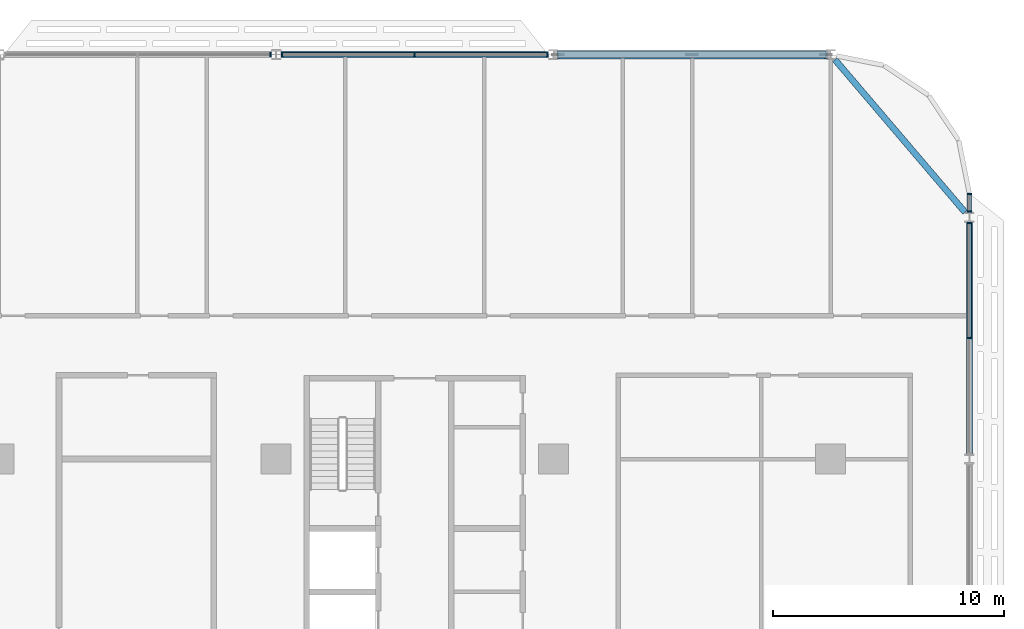
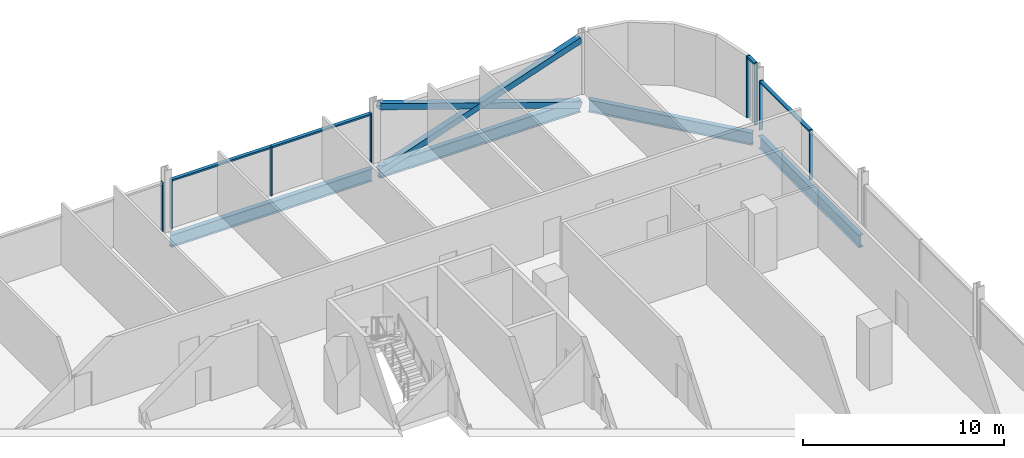
# One storey, part 10 of 29: 15 members, 4 beams, 4 elements without a shape of their own.
"""IFC4 building model written with IfcOpenShell, lengths in metres."""

from ifc_helpers import new_model, si_unit, direction, frame, origin, origin_2d, place, context, subcontext, project, spatial, rectangle, hollow_rectangle, i_section, extrude, material, material_profile, profile_set, type_object, element, aggregate, save


model = new_model("IFC4")

# Units and contexts
model_context = context("Model", 3, precision=1e-05, world=origin(), true_north=direction((0.0, 1.0)))
body_context = subcontext(model_context, "Body", "Model", "MODEL_VIEW")
ifc_project = project(units=[si_unit("LENGTHUNIT", "METRE"), si_unit("AREAUNIT", "SQUARE_METRE"), si_unit("VOLUMEUNIT", "CUBIC_METRE"), si_unit("PLANEANGLEUNIT", "RADIAN"), si_unit("MASSUNIT", "GRAM", prefix="KILO")], contexts=[model_context])

# Site, building, storey
site_placement = place(None, origin())
site = spatial("IfcSite", under=ifc_project, at=site_placement, CompositionType="ELEMENT")
building_placement = place(site_placement, origin())
building = spatial("IfcBuilding", under=site, at=building_placement, Name="Mahtab Terrace Research Tower", CompositionType="ELEMENT")
storey_placement = place(building_placement, frame((0.0, 0.0, 142.5)))
storey = spatial("IfcBuildingStorey", under=building, at=storey_placement, Name="L33", CompositionType="ELEMENT", Elevation=142.5)

# Members
ifc_material_1 = material(Name="Steel ASTM A500 Gr C", Category="steel")
ifc_material_profile_1 = material_profile(ifc_material_1, hollow_rectangle(XDim=0.355712890625, YDim=0.355712890625, WallThickness=0.01904296875, at=origin_2d()), Name="HSS14X14X3/4")
ifc_profile_set_1 = profile_set([ifc_material_profile_1], Name="Steel ASTM A500 Gr C")
member_type_1 = type_object("IfcMemberType", Name="HSS 14x14x3/4 brace XB141434", PredefinedType="BRACE", material=ifc_profile_set_1)
member_1_placement = place(storey_placement, frame((41.794189453125, 29.0, -0.648193359375), z_axis=(-0.946288278, 0.0, 0.323324132908), x_axis=(0.0, -1.0, 0.0)))
element("IfcMember", 1, at=member_1_placement, inside=storey, type_object=member_type_1, Name="Exoskeleton brace L33 01 a", PredefinedType="BRACE", context=body_context, shape_type="SweptSolid", body=[
    extrude(hollow_rectangle(XDim=0.355712890625, YDim=0.355712890625, WallThickness=0.01904296875, at=origin_2d()), origin(), (0.0, 0.0, 1.0), 12.24609375),
])
for number, where, z_axis, x_axis, name in (
    (2, (30.205810546875, 29.0, -0.648193359375), (0.946288278, 0.0, 0.323324132908), (0.0, 1.0, 0.0), "Exoskeleton brace L33 01 b1"),
    (3, (36.0, 29.0, 1.33154296875), (0.946288278, 0.0, 0.323324132908), (0.0, 1.0, 0.0), "Exoskeleton brace L33 01 b2"),
):
    element("IfcMember", number, at=place(storey_placement, frame(where, z_axis=z_axis, x_axis=x_axis)), inside=storey, type_object=member_type_1, Name=name, PredefinedType="BRACE", context=body_context, shape_type="SweptSolid", body=[
        extrude(hollow_rectangle(XDim=0.355712890625, YDim=0.355712890625, WallThickness=0.01904296875, at=origin_2d()), origin(), (0.0, 0.0, 1.0), 6.123046875),
    ])

# Curtain wall, members
ifc_material_2 = material(Name="Laboratory ribbon curtain wall")
curtain_wall_type = type_object("IfcCurtainWallType", Name="Laboratory ribbon curtain wall", PredefinedType="NOTDEFINED", material=ifc_material_2)
curtain_wall_1_placement = place(storey_placement, origin())
curtain_wall_1 = element("IfcCurtainWall", 4, at=curtain_wall_1_placement, inside=storey, type_object=curtain_wall_type, Name="EN.L33.3.4", PredefinedType="NOTDEFINED")
ifc_material_3 = material(Name="Natural anodised aluminium", Category="aluminium")
ifc_material_profile_2 = material_profile(ifc_material_3, rectangle(XDim=0.199951171875, YDim=0.06494140625, at=origin_2d()), Name="MULLION 65x200")
ifc_profile_set_2 = profile_set([ifc_material_profile_2], Name="Natural anodised aluminium")
member_type_2 = type_object("IfcMemberType", Name="Laboratory ribbon curtain wall mullion", PredefinedType="MULLION", material=ifc_profile_set_2)
member_2_placement = place(storey_placement, frame((29.74951171875, 29.0, 0.0), z_axis=(0.0, 0.0, 1.0), x_axis=(0.0, -1.0, 0.0)))
member_2 = element("IfcMember", 5, at=member_2_placement, type_object=member_type_2, Name="CWL-4 mullion 1", PredefinedType="MULLION", context=body_context, shape_type="SweptSolid", body=[
    extrude(rectangle(XDim=0.199951171875, YDim=0.06494140625, at=origin_2d()), origin(), (0.0, 0.0, 1.0), 3.003173828125),
])
member_3_placement = place(storey_placement, frame((24.0, 29.0, 0.0), z_axis=(0.0, 0.0, 1.0), x_axis=(0.0, -1.0, 0.0)))
member_3 = element("IfcMember", 6, at=member_3_placement, type_object=member_type_2, Name="CWL-4 mullion 2", PredefinedType="MULLION", context=body_context, shape_type="SweptSolid", body=[
    extrude(rectangle(XDim=0.199951171875, YDim=0.06494140625, at=origin_2d()), origin(), (0.0, 0.0, 1.0), 3.003173828125),
])
member_4_placement = place(storey_placement, frame((18.25048828125, 29.0, 0.0), z_axis=(0.0, 0.0, 1.0), x_axis=(0.0, -1.0, 0.0)))
member_4 = element("IfcMember", 7, at=member_4_placement, type_object=member_type_2, Name="CWL-4 mullion 3", PredefinedType="MULLION", context=body_context, shape_type="SweptSolid", body=[
    extrude(rectangle(XDim=0.199951171875, YDim=0.06494140625, at=origin_2d()), origin(), (0.0, 0.0, 1.0), 3.003173828125),
])

# Curtain wall, member
curtain_wall_2_placement = place(storey_placement, origin())
curtain_wall_2 = element("IfcCurtainWall", 8, at=curtain_wall_2_placement, inside=storey, type_object=curtain_wall_type, Name="EN.L33.3.5", PredefinedType="NOTDEFINED")
member_5_placement = place(storey_placement, frame((17.74951171875, 29.0, 0.0), z_axis=(0.0, 0.0, 1.0), x_axis=(0.0, -1.0, 0.0)))
member_5 = element("IfcMember", 9, at=member_5_placement, type_object=member_type_2, Name="CWL-4 mullion 1", PredefinedType="MULLION", context=body_context, shape_type="SweptSolid", body=[
    extrude(rectangle(XDim=0.199951171875, YDim=0.06494140625, at=origin_2d()), origin(), (0.0, 0.0, 1.0), 3.003173828125),
])
aggregate(curtain_wall_2, [member_5])

# Curtain wall, members
curtain_wall_3_placement = place(storey_placement, origin())
curtain_wall_3 = element("IfcCurtainWall", 10, at=curtain_wall_3_placement, inside=storey, type_object=curtain_wall_type, Name="EN.L33.18.38", PredefinedType="NOTDEFINED")
member_6_placement = place(storey_placement, frame((48.0, 16.73095703125, 0.0), z_axis=(0.0, 0.0, 1.0), x_axis=(-1.0, 0.0, 0.0)))
member_6 = element("IfcMember", 11, at=member_6_placement, type_object=member_type_2, Name="CWL-4 mullion 2", PredefinedType="MULLION", context=body_context, shape_type="SweptSolid", body=[
    extrude(rectangle(XDim=0.199951171875, YDim=0.06494140625, at=origin_2d()), origin(), (0.0, 0.0, 1.0), 3.003173828125),
])
member_7_placement = place(storey_placement, frame((48.0, 21.71142578125, 0.0), z_axis=(0.0, 0.0, 1.0), x_axis=(-1.0, 0.0, 0.0)))
member_7 = element("IfcMember", 12, at=member_7_placement, type_object=member_type_2, Name="CWL-4 mullion 3", PredefinedType="MULLION", context=body_context, shape_type="SweptSolid", body=[
    extrude(rectangle(XDim=0.199951171875, YDim=0.06494140625, at=origin_2d()), origin(), (0.0, 0.0, 1.0), 3.003173828125),
])

curtain_wall_4_placement = place(storey_placement, origin())
curtain_wall_4 = element("IfcCurtainWall", 13, at=curtain_wall_4_placement, inside=storey, type_object=curtain_wall_type, Name="EN.L33.18.39", PredefinedType="NOTDEFINED")
member_8_placement = place(storey_placement, frame((48.0, 22.21240234375, 0.0), z_axis=(0.0, 0.0, 1.0), x_axis=(-1.0, 0.0, 0.0)))
member_8 = element("IfcMember", 14, at=member_8_placement, type_object=member_type_2, Name="CWL-4 mullion 1", PredefinedType="MULLION", context=body_context, shape_type="SweptSolid", body=[
    extrude(rectangle(XDim=0.199951171875, YDim=0.06494140625, at=origin_2d()), origin(), (0.0, 0.0, 1.0), 3.760009765625),
])
member_9_placement = place(storey_placement, frame((48.0, 22.967529296875, 0.0), z_axis=(0.0, 0.0, 1.0), x_axis=(-1.0, 0.0, 0.0)))
member_9 = element("IfcMember", 15, at=member_9_placement, type_object=member_type_2, Name="CWL-4 mullion 2", PredefinedType="MULLION", context=body_context, shape_type="SweptSolid", body=[
    extrude(rectangle(XDim=0.199951171875, YDim=0.06494140625, at=origin_2d()), origin(), (0.0, 0.0, 1.0), 3.760009765625),
])

# Member
ifc_material_profile_3 = material_profile(ifc_material_3, rectangle(XDim=0.199951171875, YDim=0.10009765625, at=origin_2d()), Name="TRANSOM 100x200")
ifc_profile_set_3 = profile_set([ifc_material_profile_3], Name="Natural anodised aluminium")
member_type_3 = type_object("IfcMemberType", Name="Laboratory ribbon curtain wall transom", PredefinedType="USERDEFINED", material=ifc_profile_set_3)
member_10_placement = place(storey_placement, frame((29.717041015625, 29.0, 2.953125), z_axis=(-1.0, 0.0, 0.0), x_axis=(0.0, -1.0, 0.0)))
member_10 = element("IfcMember", 16, at=member_10_placement, type_object=member_type_3, Name="CWL-4 transom 1", ObjectType="TRANSOM", PredefinedType="USERDEFINED", context=body_context, shape_type="SweptSolid", body=[
    extrude(rectangle(XDim=0.199951171875, YDim=0.10009765625, at=origin_2d()), origin(), (0.0, 0.0, 1.0), 5.6845703125),
])

member_11_placement = place(storey_placement, frame((23.967529296875, 29.0, 2.953125), z_axis=(-1.0, 0.0, 0.0), x_axis=(0.0, -1.0, 0.0)))
member_11 = element("IfcMember", 17, at=member_11_placement, type_object=member_type_3, Name="CWL-4 transom 2", ObjectType="TRANSOM", PredefinedType="USERDEFINED", context=body_context, shape_type="SweptSolid", body=[
    extrude(rectangle(XDim=0.199951171875, YDim=0.10009765625, at=origin_2d()), origin(), (0.0, 0.0, 1.0), 5.6845703125),
])

aggregate(curtain_wall_1, [member_2, member_3, member_4, member_10, member_11])

member_12_placement = place(storey_placement, frame((48.0, 16.763427734375, 2.953125), z_axis=(0.0, 1.0, 0.0), x_axis=(-1.0, 0.0, 0.0)))
member_12 = element("IfcMember", 18, at=member_12_placement, type_object=member_type_3, Name="CWL-4 transom 2", ObjectType="TRANSOM", PredefinedType="USERDEFINED", context=body_context, shape_type="SweptSolid", body=[
    extrude(rectangle(XDim=0.199951171875, YDim=0.10009765625, at=origin_2d()), origin(), (0.0, 0.0, 1.0), 4.91552734375),
])

aggregate(curtain_wall_3, [member_6, member_7, member_12])

member_13_placement = place(storey_placement, frame((48.0, 22.2451171875, 3.7099609375), z_axis=(0.0, 1.0, 0.0), x_axis=(-1.0, 0.0, 0.0)))
member_13 = element("IfcMember", 19, at=member_13_placement, type_object=member_type_3, Name="CWL-4 transom 1", ObjectType="TRANSOM", PredefinedType="USERDEFINED", context=body_context, shape_type="SweptSolid", body=[
    extrude(rectangle(XDim=0.199951171875, YDim=0.10009765625, at=origin_2d()), origin(), (0.0, 0.0, 1.0), 0.68994140625),
])

aggregate(curtain_wall_4, [member_8, member_9, member_13])

# Beams
ifc_material_4 = material(Name="Steel ASTM A992 Gr 50", Category="steel")
ifc_material_profile_4 = material_profile(ifc_material_4, i_section(OverallWidth=0.2666015625, OverallDepth=0.7568359375, WebThickness=0.013916015625, FlangeThickness=0.019287109375, at=origin_2d()), Name="W30X108")
ifc_profile_set_4 = profile_set([ifc_material_profile_4], Name="Steel ASTM A992 Gr 50")
beam_type = type_object("IfcBeamType", Name="W30x108 beam BS30108", PredefinedType="BEAM", material=ifc_profile_set_4)
for number, where, z_axis, x_axis, name in (
    (20, (41.794189453125, 29.0, -0.718505859375), (-1.0, 0.0, 0.0), (0.0, -1.0, 0.0), "Spandrel beam L33 01"),
    (21, (29.794189453125, 29.0, -0.718505859375), (-1.0, 0.0, 0.0), (0.0, -1.0, 0.0), "Spandrel beam L33 02"),
):
    element("IfcBeam", number, at=place(storey_placement, frame(where, z_axis=z_axis, x_axis=x_axis)), inside=storey, type_object=beam_type, Name=name, PredefinedType="BEAM", context=body_context, shape_type="SweptSolid", body=[
        extrude(i_section(OverallWidth=0.2666015625, OverallDepth=0.7568359375, WebThickness=0.013916015625, FlangeThickness=0.019287109375, at=origin_2d()), origin(), (0.0, 0.0, 1.0), 11.58837890625),
    ])
beam_1_placement = place(storey_placement, frame((48.0, 11.717041015625, -0.718505859375), z_axis=(0.0, 1.0, 0.0), x_axis=(-1.0, 0.0, 0.0)))
element("IfcBeam", 22, at=beam_1_placement, inside=storey, type_object=beam_type, Name="Spandrel beam L33 24", PredefinedType="BEAM", context=body_context, shape_type="SweptSolid", body=[
    extrude(i_section(OverallWidth=0.2666015625, OverallDepth=0.7568359375, WebThickness=0.013916015625, FlangeThickness=0.019287109375, at=origin_2d()), origin(), (0.0, 0.0, 1.0), 10.02783203125),
])
beam_2_placement = place(storey_placement, frame((47.81494140625, 22.17919921875, -0.718505859375), z_axis=(-0.648764091423, 0.760989588417, 0.0), x_axis=(-0.760989588417, -0.648764091423, 0.0)))
element("IfcBeam", 23, at=beam_2_placement, inside=storey, type_object=beam_type, Name="Spandrel beam L33 25", PredefinedType="BEAM", context=body_context, shape_type="SweptSolid", body=[
    extrude(i_section(OverallWidth=0.2666015625, OverallDepth=0.7568359375, WebThickness=0.013916015625, FlangeThickness=0.019287109375, at=origin_2d()), origin(), (0.0, 0.0, 1.0), 8.677978515625),
])

save(model, "model.ifc")
